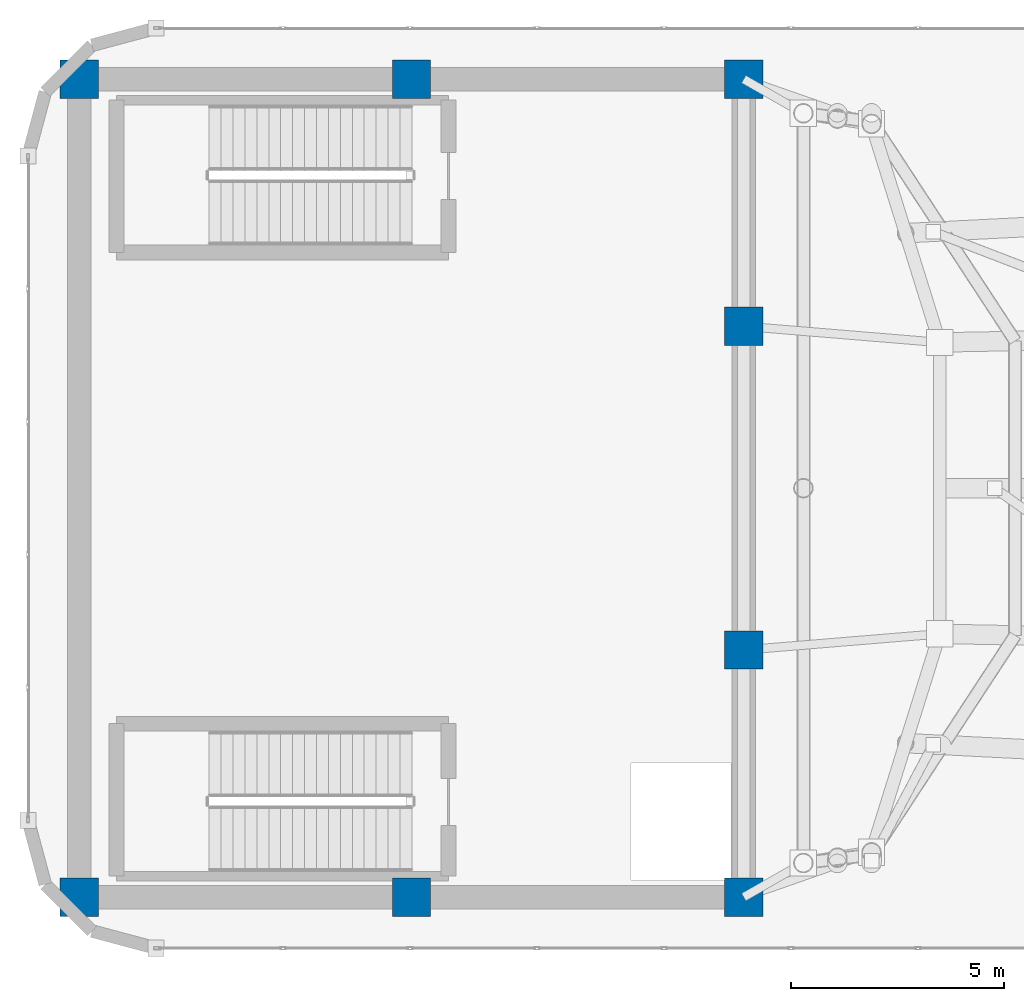
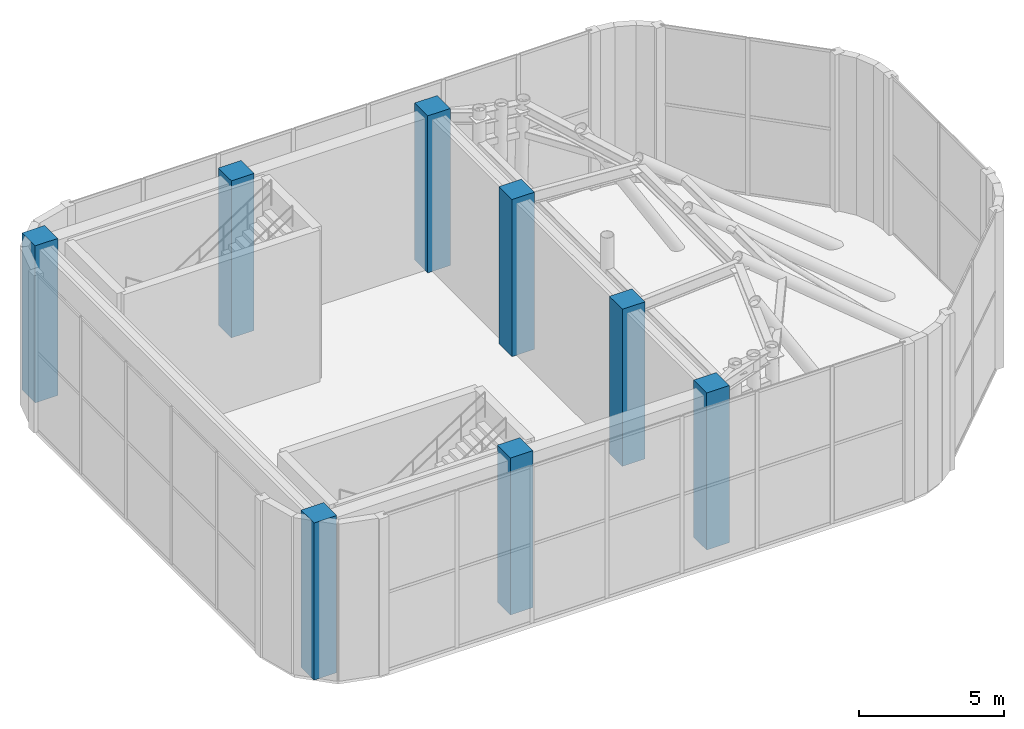
# One storey, part 1 of 19: 8 columns.
"""IFC4 building model written with IfcOpenShell, lengths in metres."""

from ifc_helpers import new_model, si_unit, direction, frame, origin, origin_2d, place, context, subcontext, project, spatial, rectangle, extrude, material, material_profile, profile_set, type_object, element, save


model = new_model("IFC4")

# Units and contexts
model_context = context("Model", 3, precision=1e-05, world=origin(), true_north=direction((0.0, 1.0)))
body_context = subcontext(model_context, "Body", "Model", "MODEL_VIEW")
ifc_project = project(units=[si_unit("LENGTHUNIT", "METRE"), si_unit("AREAUNIT", "SQUARE_METRE"), si_unit("VOLUMEUNIT", "CUBIC_METRE"), si_unit("PLANEANGLEUNIT", "RADIAN"), si_unit("MASSUNIT", "GRAM", prefix="KILO")], contexts=[model_context])

# Site, building, storey
site_placement = place(None, origin())
site = spatial("IfcSite", under=ifc_project, at=site_placement, CompositionType="ELEMENT")
building_placement = place(site_placement, origin())
building = spatial("IfcBuilding", under=site, at=building_placement, Name="An Khanh Terracotta Commons", CompositionType="ELEMENT")
storey_placement = place(building_placement, frame((0.0, 0.0, 328.800048828125)))
storey = spatial("IfcBuildingStorey", under=building, at=storey_placement, Name="L82 Crown Faceted Taper", CompositionType="ELEMENT", Elevation=328.800048828125)

# Columns
ifc_material = material(Name="Concrete C50/60", Category="concrete")
ifc_material_profile = material_profile(ifc_material, rectangle(XDim=0.89990234375, YDim=0.89990234375, at=origin_2d()), Name="RC900x900")
ifc_profile_set = profile_set([ifc_material_profile], Name="Concrete C50/60")
column_type = type_object("IfcColumnType", Name="COL-RC900x900", PredefinedType="COLUMN", material=ifc_profile_set)
for number, where, z_axis, x_axis, name in (
    (1, (21.60009765625, 14.39990234375, 0.0), (0.0, 0.0, 1.0), (1.0, 0.0, 0.0), "L82 Crown Faceted Taper Core Boundary Column CC-01"),
    (2, (29.39990234375, 14.39990234375, 0.0), (0.0, 0.0, 1.0), (1.0, 0.0, 0.0), "L82 Crown Faceted Taper Core Boundary Column CC-02"),
    (3, (37.199951171875, 14.39990234375, 0.0), (0.0, 0.0, 1.0), (1.0, 0.0, 0.0), "L82 Crown Faceted Taper Core Boundary Column CC-03"),
    (4, (37.199951171875, 20.199951171875, 0.0), (0.0, 0.0, 1.0), (1.0, 0.0, 0.0), "L82 Crown Faceted Taper Core Boundary Column CC-04"),
    (5, (37.199951171875, 27.800048828125, 0.0), (0.0, 0.0, 1.0), (1.0, 0.0, 0.0), "L82 Crown Faceted Taper Core Boundary Column CC-05"),
    (6, (37.199951171875, 33.60009765625, 0.0), (0.0, 0.0, 1.0), (1.0, 0.0, 0.0), "L82 Crown Faceted Taper Core Boundary Column CC-06"),
    (7, (29.39990234375, 33.60009765625, 0.0), (0.0, 0.0, 1.0), (1.0, 0.0, 0.0), "L82 Crown Faceted Taper Core Boundary Column CC-07"),
    (8, (21.60009765625, 33.60009765625, 0.0), (0.0, 0.0, 1.0), (1.0, 0.0, 0.0), "L82 Crown Faceted Taper Core Boundary Column CC-08"),
):
    element("IfcColumn", number, at=place(storey_placement, frame(where, z_axis=z_axis, x_axis=x_axis)), inside=storey, type_object=column_type, Name=name, PredefinedType="COLUMN", context=body_context, shape_type="SweptSolid", body=[
        extrude(rectangle(XDim=0.89990234375, YDim=0.89990234375, at=origin_2d()), origin(), (0.0, 0.0, 1.0), 6.599853515625),
    ])

save(model, "model.ifc")
